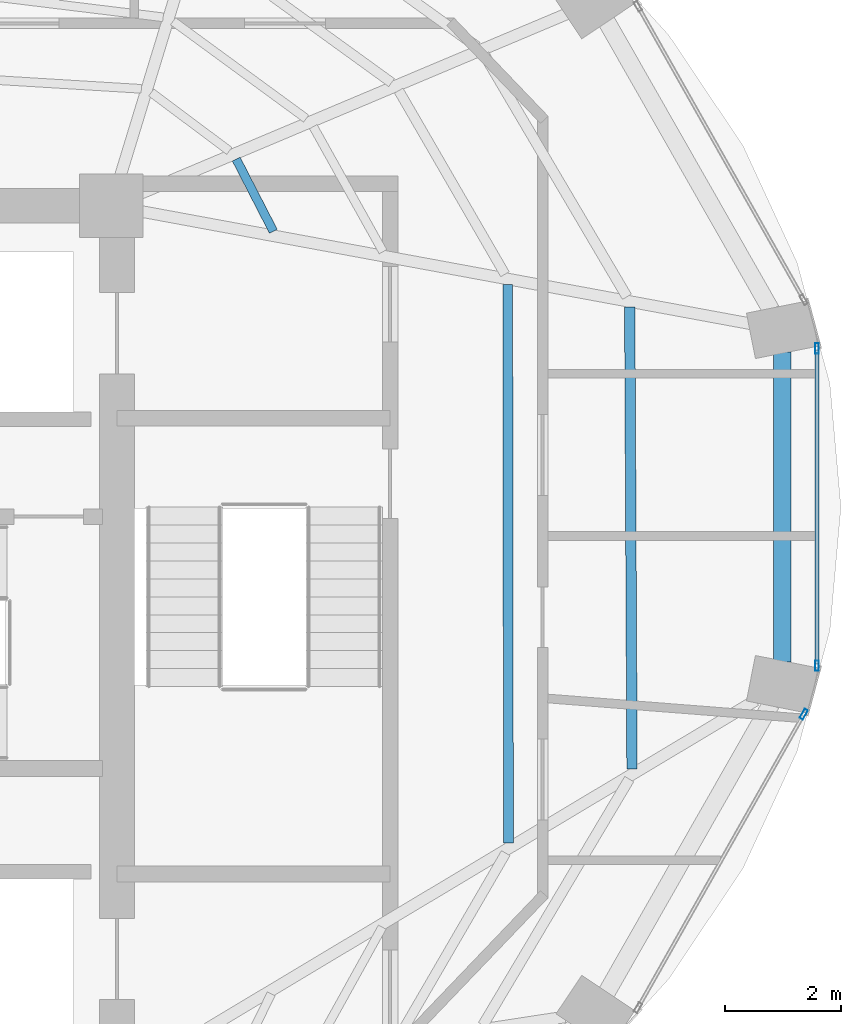
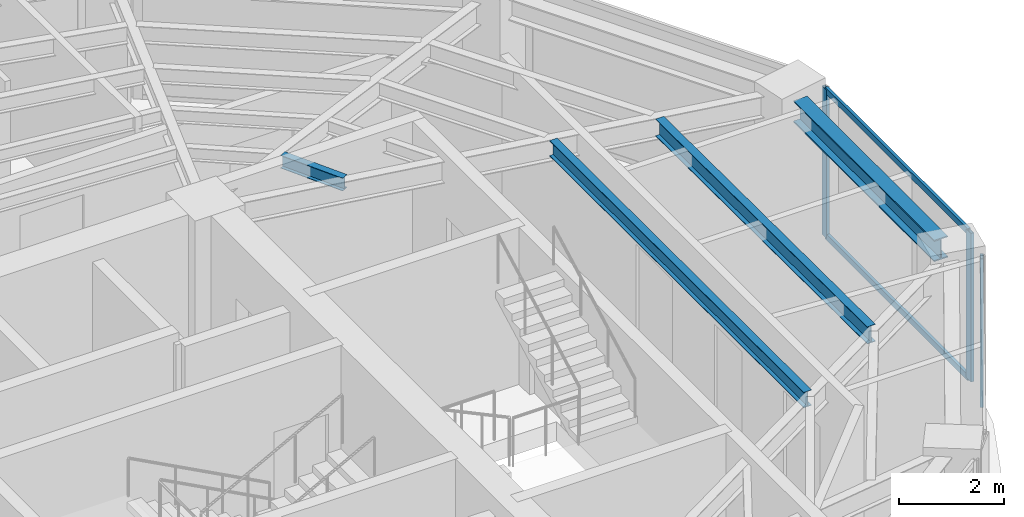
# One storey, part 14 of 23: 5 members, 4 beams, 2 elements without a shape of their own.
"""IFC4 building model written with IfcOpenShell, lengths in metres."""

from ifc_helpers import new_model, si_unit, direction, frame, origin, origin_2d, place, context, subcontext, project, spatial, hollow_rectangle, i_section, extrude, material, layer, layer_set, material_profile, profile_set, type_object, element, aggregate, save


model = new_model("IFC4")

# Units and contexts
model_context = context("Model", 3, precision=1e-05, world=origin(), true_north=direction((0.0, 1.0)))
body_context = subcontext(model_context, "Body", "Model", "MODEL_VIEW")
ifc_project = project(units=[si_unit("LENGTHUNIT", "METRE"), si_unit("AREAUNIT", "SQUARE_METRE"), si_unit("VOLUMEUNIT", "CUBIC_METRE"), si_unit("PLANEANGLEUNIT", "RADIAN"), si_unit("MASSUNIT", "GRAM", prefix="KILO")], contexts=[model_context])

# Site, building, storey
site_placement = place(None, origin())
site = spatial("IfcSite", under=ifc_project, at=site_placement, CompositionType="ELEMENT")
building_placement = place(site_placement, origin())
building = spatial("IfcBuilding", under=site, at=building_placement, Name="Lazwardi Medical Tower", CompositionType="ELEMENT")
storey_placement = place(building_placement, frame((0.0, 0.0, 194.83203125)))
storey = spatial("IfcBuildingStorey", under=building, at=storey_placement, Name="L50", CompositionType="ELEMENT", Elevation=194.83203125)

# Beams
ifc_material_1 = material(Name="Steel S355", Category="steel")
ifc_material_profile_1 = material_profile(ifc_material_1, i_section(OverallWidth=0.300048828125, OverallDepth=0.5, WebThickness=0.014404296875, FlangeThickness=0.028076171875, at=origin_2d()), Name="HEB 500")
ifc_profile_set_1 = profile_set([ifc_material_profile_1], Name="Steel S355")
beam_type_1 = type_object("IfcBeamType", Name="BM-RB-Z4", PredefinedType="BEAM", material=ifc_profile_set_1)
beam_1_placement = place(storey_placement, frame((57.18505859375, 27.72705078125, 3.197998046875), z_axis=(0.0, 1.0, 0.0), x_axis=(-1.0, 0.0, 0.0)))
element("IfcBeam", 1, at=beam_1_placement, inside=storey, type_object=beam_type_1, Name="Ring beam RB-05 B04 L50", PredefinedType="BEAM", context=body_context, shape_type="SweptSolid", body=[
    extrude(i_section(OverallWidth=0.300048828125, OverallDepth=0.5, WebThickness=0.014404296875, FlangeThickness=0.028076171875, at=origin_2d()), origin(), (0.0, 0.0, 1.0), 5.345947265625),
])
ifc_material_profile_2 = material_profile(ifc_material_1, i_section(OverallWidth=0.179931640625, OverallDepth=0.39990234375, WebThickness=0.008544921875, FlangeThickness=0.013427734375, at=origin_2d()), Name="IPE 400")
ifc_profile_set_2 = profile_set([ifc_material_profile_2], Name="Steel S355")
beam_type_2 = type_object("IfcBeamType", Name="BM-SJ-01", PredefinedType="JOIST", material=ifc_profile_set_2)
beam_2_placement = place(storey_placement, frame((54.592041015625, 25.879638671875, 3.248046875), z_axis=(-0.004929366644, 0.999987850598, 0.0), x_axis=(-0.999987850598, -0.004929366644, 0.0)))
element("IfcBeam", 2, at=beam_2_placement, inside=storey, type_object=beam_type_2, Name="Secondary joist SJ-01 R1 B04 L50", PredefinedType="JOIST", context=body_context, shape_type="SweptSolid", body=[
    extrude(i_section(OverallWidth=0.179931640625, OverallDepth=0.39990234375, WebThickness=0.008544921875, FlangeThickness=0.013427734375, at=origin_2d()), origin(), (0.0, 0.0, 1.0), 7.973876953125),
])
ifc_material_profile_3 = material_profile(ifc_material_1, i_section(OverallWidth=0.169921875, OverallDepth=0.360107421875, WebThickness=0.008056640625, FlangeThickness=0.0126953125, at=origin_2d()), Name="IPE 360")
ifc_profile_set_3 = profile_set([ifc_material_profile_3], Name="Steel S355")
beam_type_3 = type_object("IfcBeamType", Name="BM-SJ-02", PredefinedType="JOIST", material=ifc_profile_set_3)
beam_3_placement = place(storey_placement, frame((52.458984375, 24.602294921875, 3.26806640625), z_axis=(-0.001367606673, 0.999999064826, 0.0), x_axis=(-0.999999064826, -0.001367606673, 0.0)))
element("IfcBeam", 3, at=beam_3_placement, inside=storey, type_object=beam_type_3, Name="Secondary joist SJ-02 R2 B04 L50", PredefinedType="JOIST", context=body_context, shape_type="SweptSolid", body=[
    extrude(i_section(OverallWidth=0.169921875, OverallDepth=0.360107421875, WebThickness=0.008056640625, FlangeThickness=0.0126953125, at=origin_2d()), origin(), (0.0, 0.0, 1.0), 9.639892578125),
])
ifc_material_profile_4 = material_profile(ifc_material_1, i_section(OverallWidth=0.14990234375, OverallDepth=0.300048828125, WebThickness=0.007080078125, FlangeThickness=0.0107421875, at=origin_2d()), Name="IPE 300")
ifc_profile_set_4 = profile_set([ifc_material_profile_4], Name="Steel S355")
beam_type_4 = type_object("IfcBeamType", Name="BM-SJ-03", PredefinedType="JOIST", material=ifc_profile_set_4)
beam_4_placement = place(storey_placement, frame((48.39990234375, 35.159912109375, 3.2978515625), z_axis=(-0.457285056668, 0.889320176848, 0.0), x_axis=(-0.889320176848, -0.457285056668, 0.0)))
element("IfcBeam", 4, at=beam_4_placement, inside=storey, type_object=beam_type_4, Name="Secondary joist SJ-03 R4 B05 L50", PredefinedType="JOIST", context=body_context, shape_type="SweptSolid", body=[
    extrude(i_section(OverallWidth=0.14990234375, OverallDepth=0.300048828125, WebThickness=0.007080078125, FlangeThickness=0.0107421875, at=origin_2d()), origin(), (0.0, 0.0, 1.0), 1.402099609375),
])

# Curtain wall, member
ifc_material_2 = material(Name="Anodised bronze aluminium and solar control glazing", Category="aluminium")
ifc_layer = layer(ifc_material_2, 0.18994140625)
ifc_layer_set = layer_set([ifc_layer], Name="Anodised bronze aluminium and solar control glazing")
curtain_wall_type = type_object("IfcCurtainWallType", Name="CW-SYS-04", PredefinedType="NOTDEFINED", material=ifc_layer_set)
curtain_wall_1_placement = place(storey_placement, origin())
curtain_wall_1 = element("IfcCurtainWall", 5, at=curtain_wall_1_placement, inside=storey, type_object=curtain_wall_type, Name="L50 Unitised bronze curtain wall CW-04", PredefinedType="NOTDEFINED")
ifc_material_3 = material(Name="Anodised bronze aluminium", Category="aluminium")
ifc_material_profile_5 = material_profile(ifc_material_3, hollow_rectangle(XDim=0.06494140625, YDim=0.179931640625, WallThickness=0.00390625, at=origin_2d()), Name="ALU-MULLION 180x65x4")
ifc_profile_set_5 = profile_set([ifc_material_profile_5], Name="Anodised bronze aluminium")
member_type_1 = type_object("IfcMemberType", Name="CW-MUL-03", PredefinedType="MULLION", material=ifc_profile_set_5)
member_1_placement = place(storey_placement, frame((57.557373046875, 26.82177734375, 0.0), z_axis=(0.0, 0.0, 1.0), x_axis=(-0.870651436011, 0.491900474661, 0.0)))
member_1 = element("IfcMember", 6, at=member_1_placement, type_object=member_type_1, Name="CW-04 mullion 2", PredefinedType="MULLION", context=body_context, shape_type="SweptSolid", body=[
    extrude(hollow_rectangle(XDim=0.06494140625, YDim=0.179931640625, WallThickness=0.00390625, at=origin_2d()), origin(), (0.0, 0.0, 1.0), 3.447998046875),
])
aggregate(curtain_wall_1, [member_1])

# Curtain wall, members
curtain_wall_2_placement = place(storey_placement, origin())
curtain_wall_2 = element("IfcCurtainWall", 7, at=curtain_wall_2_placement, inside=storey, type_object=curtain_wall_type, Name="L50 Unitised bronze curtain wall CW-04", PredefinedType="NOTDEFINED")
member_2_placement = place(storey_placement, frame((57.7841796875, 27.659423828125, 0.0), z_axis=(0.0, 0.0, 1.0), x_axis=(-1.0, 0.0, 0.0)))
member_2 = element("IfcMember", 8, at=member_2_placement, type_object=member_type_1, Name="CW-04 mullion 1", PredefinedType="MULLION", context=body_context, shape_type="SweptSolid", body=[
    extrude(hollow_rectangle(XDim=0.06494140625, YDim=0.179931640625, WallThickness=0.00390625, at=origin_2d()), origin(), (0.0, 0.0, 1.0), 3.447998046875),
])
member_3_placement = place(storey_placement, frame((57.7841796875, 33.140380859375, 0.0), z_axis=(0.0, 0.0, 1.0), x_axis=(-1.0, 0.0, 0.0)))
member_3 = element("IfcMember", 9, at=member_3_placement, type_object=member_type_1, Name="CW-04 mullion 2", PredefinedType="MULLION", context=body_context, shape_type="SweptSolid", body=[
    extrude(hollow_rectangle(XDim=0.06494140625, YDim=0.179931640625, WallThickness=0.00390625, at=origin_2d()), origin(), (0.0, 0.0, 1.0), 3.447998046875),
])
ifc_material_profile_6 = material_profile(ifc_material_3, hollow_rectangle(XDim=0.06494140625, YDim=0.139892578125, WallThickness=0.00341796875, at=origin_2d()), Name="ALU-TRANSOM 140x65x3.5")
ifc_profile_set_6 = profile_set([ifc_material_profile_6], Name="Anodised bronze aluminium")
member_type_2 = type_object("IfcMemberType", Name="CW-TRN-03", PredefinedType="USERDEFINED", material=ifc_profile_set_6)
member_4_placement = place(storey_placement, frame((57.7841796875, 27.69189453125, 0.032470703125), z_axis=(0.0, 1.0, 0.0), x_axis=(-1.0, 0.0, 0.0)))
member_4 = element("IfcMember", 10, at=member_4_placement, type_object=member_type_2, Name="CW-04 transom 1.1", ObjectType="TRANSOM", PredefinedType="USERDEFINED", context=body_context, shape_type="SweptSolid", body=[
    extrude(hollow_rectangle(XDim=0.06494140625, YDim=0.139892578125, WallThickness=0.00341796875, at=origin_2d()), origin(), (0.0, 0.0, 1.0), 5.416015625),
])
member_5_placement = place(storey_placement, frame((57.7841796875, 27.69189453125, 3.41552734375), z_axis=(0.0, 1.0, 0.0), x_axis=(-1.0, 0.0, 0.0)))
member_5 = element("IfcMember", 11, at=member_5_placement, type_object=member_type_2, Name="CW-04 transom 1.2", ObjectType="TRANSOM", PredefinedType="USERDEFINED", context=body_context, shape_type="SweptSolid", body=[
    extrude(hollow_rectangle(XDim=0.06494140625, YDim=0.139892578125, WallThickness=0.00341796875, at=origin_2d()), origin(), (0.0, 0.0, 1.0), 5.416015625),
])
aggregate(curtain_wall_2, [member_2, member_3, member_4, member_5])

save(model, "model.ifc")
